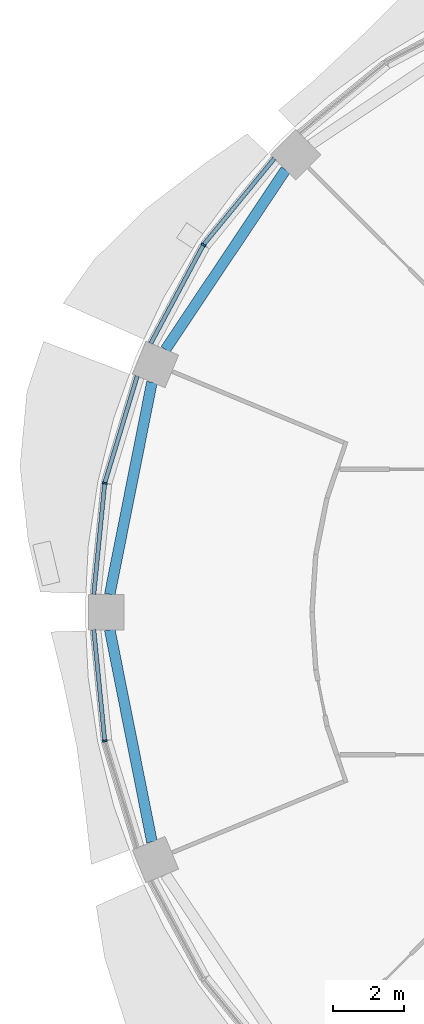
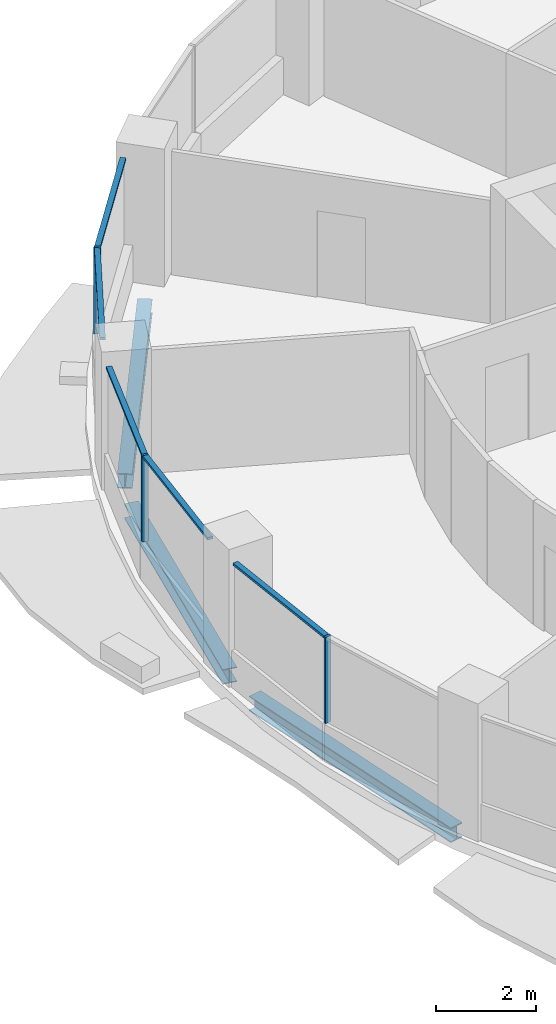
# One storey, part 4 of 15: 8 members, 3 beams, 3 elements without a shape of their own.
"""IFC4 building model written with IfcOpenShell, lengths in metres."""

from ifc_helpers import new_model, si_unit, direction, frame, origin, origin_2d, place, context, subcontext, project, spatial, rectangle, i_section, extrude, material, material_profile, profile_set, type_object, element, aggregate, save


model = new_model("IFC4")

# Units and contexts
model_context = context("Model", 3, precision=1e-05, world=origin(), true_north=direction((0.0, 1.0)))
body_context = subcontext(model_context, "Body", "Model", "MODEL_VIEW")
ifc_project = project(units=[si_unit("LENGTHUNIT", "METRE"), si_unit("AREAUNIT", "SQUARE_METRE"), si_unit("VOLUMEUNIT", "CUBIC_METRE"), si_unit("PLANEANGLEUNIT", "RADIAN"), si_unit("MASSUNIT", "GRAM", prefix="KILO")], contexts=[model_context])

# Site, building, storey
site_placement = place(None, origin())
site = spatial("IfcSite", under=ifc_project, at=site_placement, CompositionType="ELEMENT")
building_placement = place(site_placement, origin())
building = spatial("IfcBuilding", under=site, at=building_placement, Name="Polderwave Tower", CompositionType="ELEMENT")
storey_placement = place(building_placement, frame((0.0, 0.0, 154.449951171875)))
storey = spatial("IfcBuildingStorey", under=building, at=storey_placement, Name="L41", CompositionType="ELEMENT", Elevation=154.449951171875)

# Curtain wall, member
ifc_material_1 = material(Name="Aluminium 6063-T6 and glass", Category="aluminium")
curtain_wall_type = type_object("IfcCurtainWallType", Name="Office ribbon glazing wall", PredefinedType="NOTDEFINED", material=ifc_material_1)
curtain_wall_1_placement = place(storey_placement, origin())
curtain_wall_1 = element("IfcCurtainWall", 1, at=curtain_wall_1_placement, inside=storey, type_object=curtain_wall_type, Name="CW3 L41 06", PredefinedType="NOTDEFINED")
ifc_material_2 = material(Name="Aluminium 6063-T6", Category="aluminium")
ifc_material_profile_1 = material_profile(ifc_material_2, rectangle(XDim=0.139892578125, YDim=0.054931640625, at=origin_2d()), Name="AL 55x140")
ifc_profile_set_1 = profile_set([ifc_material_profile_1], Name="Aluminium 6063-T6")
member_type_1 = type_object("IfcMemberType", Name="Office ribbon glazing mullion 55x140", PredefinedType="MULLION", material=ifc_profile_set_1)
member_1_placement = place(storey_placement, frame((-15.489990234375, 10.35009765625, 0.900146484375), z_axis=(0.0, 0.0, 1.0), x_axis=(0.831484156812, -0.555548465006, 0.0)))
member_1 = element("IfcMember", 2, at=member_1_placement, type_object=member_type_1, Name="CW3 mullion 1", PredefinedType="MULLION", context=body_context, shape_type="SweptSolid", body=[
    extrude(rectangle(XDim=0.139892578125, YDim=0.054931640625, at=origin_2d()), origin(), (0.0, 0.0, 1.0), 2.099853515625),
])

curtain_wall_2_placement = place(storey_placement, origin())
curtain_wall_2 = element("IfcCurtainWall", 3, at=curtain_wall_2_placement, inside=storey, type_object=curtain_wall_type, Name="CW3 L41 07", PredefinedType="NOTDEFINED")
member_2_placement = place(storey_placement, frame((-18.27197265625, 3.635009765625, 0.900146484375), z_axis=(0.0, 0.0, 1.0), x_axis=(0.980786642367, -0.195083474838, 0.0)))
member_2 = element("IfcMember", 4, at=member_2_placement, type_object=member_type_1, Name="CW3 mullion 1", PredefinedType="MULLION", context=body_context, shape_type="SweptSolid", body=[
    extrude(rectangle(XDim=0.139892578125, YDim=0.054931640625, at=origin_2d()), origin(), (0.0, 0.0, 1.0), 2.099853515625),
])

curtain_wall_3_placement = place(storey_placement, origin())
curtain_wall_3 = element("IfcCurtainWall", 5, at=curtain_wall_3_placement, inside=storey, type_object=curtain_wall_type, Name="CW3 L41 08", PredefinedType="NOTDEFINED")
member_3_placement = place(storey_placement, frame((-18.27197265625, -3.635009765625, 0.900146484375), z_axis=(0.0, 0.0, 1.0), x_axis=(0.980786642367, 0.195083474838, 0.0)))
member_3 = element("IfcMember", 6, at=member_3_placement, type_object=member_type_1, Name="CW3 mullion 1", PredefinedType="MULLION", context=body_context, shape_type="SweptSolid", body=[
    extrude(rectangle(XDim=0.139892578125, YDim=0.054931640625, at=origin_2d()), origin(), (0.0, 0.0, 1.0), 2.099853515625),
])

# Member
ifc_material_profile_2 = material_profile(ifc_material_2, rectangle(XDim=0.1201171875, YDim=0.06005859375, at=origin_2d()), Name="AL 60x120")
ifc_profile_set_2 = profile_set([ifc_material_profile_2], Name="Aluminium 6063-T6")
member_type_2 = type_object("IfcMemberType", Name="Office ribbon glazing transom 60x120", PredefinedType="USERDEFINED", material=ifc_profile_set_2)
member_4_placement = place(storey_placement, frame((-13.491943359375, 12.784912109375, 2.969970703125), z_axis=(-0.634382512988, -0.773019292913, 0.0), x_axis=(0.773019292913, -0.634382512988, 0.0)))
member_4 = element("IfcMember", 7, at=member_4_placement, type_object=member_type_2, Name="CW3 transom 1", ObjectType="TRANSOM", PredefinedType="USERDEFINED", context=body_context, shape_type="SweptSolid", body=[
    extrude(rectangle(XDim=0.1201171875, YDim=0.06005859375, at=origin_2d()), origin(), (0.0, 0.0, 1.0), 3.122314453125),
])

member_5_placement = place(storey_placement, frame((-15.5029296875, 10.32568359375, 2.969970703125), z_axis=(-0.471472684712, -0.881880665153, 0.0), x_axis=(0.881880665153, -0.471472684712, 0.0)))
member_5 = element("IfcMember", 8, at=member_5_placement, type_object=member_type_2, Name="CW3 transom 2", ObjectType="TRANSOM", PredefinedType="USERDEFINED", context=body_context, shape_type="SweptSolid", body=[
    extrude(rectangle(XDim=0.1201171875, YDim=0.06005859375, at=origin_2d()), origin(), (0.0, 0.0, 1.0), 3.12255859375),
])

aggregate(curtain_wall_1, [member_1, member_4, member_5])

member_6_placement = place(storey_placement, frame((-17.35791015625, 6.64892578125, 2.969970703125), z_axis=(-0.290209241883, -0.956963215555, 0.0), x_axis=(0.956963215555, -0.290209241883, 0.0)))
member_6 = element("IfcMember", 9, at=member_6_placement, type_object=member_type_2, Name="CW3 transom 1", ObjectType="TRANSOM", PredefinedType="USERDEFINED", context=body_context, shape_type="SweptSolid", body=[
    extrude(rectangle(XDim=0.1201171875, YDim=0.06005859375, at=origin_2d()), origin(), (0.0, 0.0, 1.0), 3.121826171875),
])

member_7_placement = place(storey_placement, frame((-18.274658203125, 3.607666015625, 2.969970703125), z_axis=(-0.098118026186, -0.995174785119, 0.0), x_axis=(0.995174785119, -0.098118026186, 0.0)))
member_7 = element("IfcMember", 10, at=member_7_placement, type_object=member_type_2, Name="CW3 transom 2", ObjectType="TRANSOM", PredefinedType="USERDEFINED", context=body_context, shape_type="SweptSolid", body=[
    extrude(rectangle(XDim=0.1201171875, YDim=0.06005859375, at=origin_2d()), origin(), (0.0, 0.0, 1.0), 3.122802734375),
])

aggregate(curtain_wall_2, [member_2, member_6, member_7])

member_8_placement = place(storey_placement, frame((-18.5810546875, -0.5, 2.969970703125), z_axis=(0.098118026186, -0.995174785119, 0.0), x_axis=(0.995174785119, 0.098118026186, 0.0)))
member_8 = element("IfcMember", 11, at=member_8_placement, type_object=member_type_2, Name="CW3 transom 1", ObjectType="TRANSOM", PredefinedType="USERDEFINED", context=body_context, shape_type="SweptSolid", body=[
    extrude(rectangle(XDim=0.1201171875, YDim=0.06005859375, at=origin_2d()), origin(), (0.0, 0.0, 1.0), 3.122802734375),
])

aggregate(curtain_wall_3, [member_3, member_8])

# Beams
ifc_material_3 = material(Name="Steel S355", Category="steel")
ifc_material_profile_3 = material_profile(ifc_material_3, i_section(OverallWidth=0.300048828125, OverallDepth=0.360107421875, WebThickness=0.012451171875, FlangeThickness=0.0224609375, at=origin_2d()), Name="HE 360 B")
ifc_profile_set_3 = profile_set([ifc_material_profile_3], Name="Steel S355")
beam_type = type_object("IfcBeamType", Name="RING BEAM HE 360 B", PredefinedType="BEAM", material=ifc_profile_set_3)
for number, where, z_axis, x_axis, name in (
    (12, (-13.173828125, 12.466796875, -0.530029296875), (-0.555550531273, -0.831482776251, 0.0), (0.831482776251, -0.555550531273, 0.0), "ST-RB-L41-06"),
    (13, (-16.94189453125, 6.476318359375, -0.530029296875), (-0.19508354483, -0.980786628445, 0.0), (0.980786628445, -0.19508354483, 0.0), "ST-RB-L41-07"),
    (14, (-18.130615234375, -0.5, -0.530029296875), (0.19508354483, -0.980786628445, 0.0), (0.980786628445, 0.19508354483, 0.0), "ST-RB-L41-08"),
):
    element("IfcBeam", number, at=place(storey_placement, frame(where, z_axis=z_axis, x_axis=x_axis)), inside=storey, type_object=beam_type, Name=name, PredefinedType="BEAM", context=body_context, shape_type="SweptSolid", body=[
        extrude(i_section(OverallWidth=0.300048828125, OverallDepth=0.360107421875, WebThickness=0.012451171875, FlangeThickness=0.0224609375, at=origin_2d()), origin(), (0.0, 0.0, 1.0), 6.093505859375),
    ])

save(model, "model.ifc")
